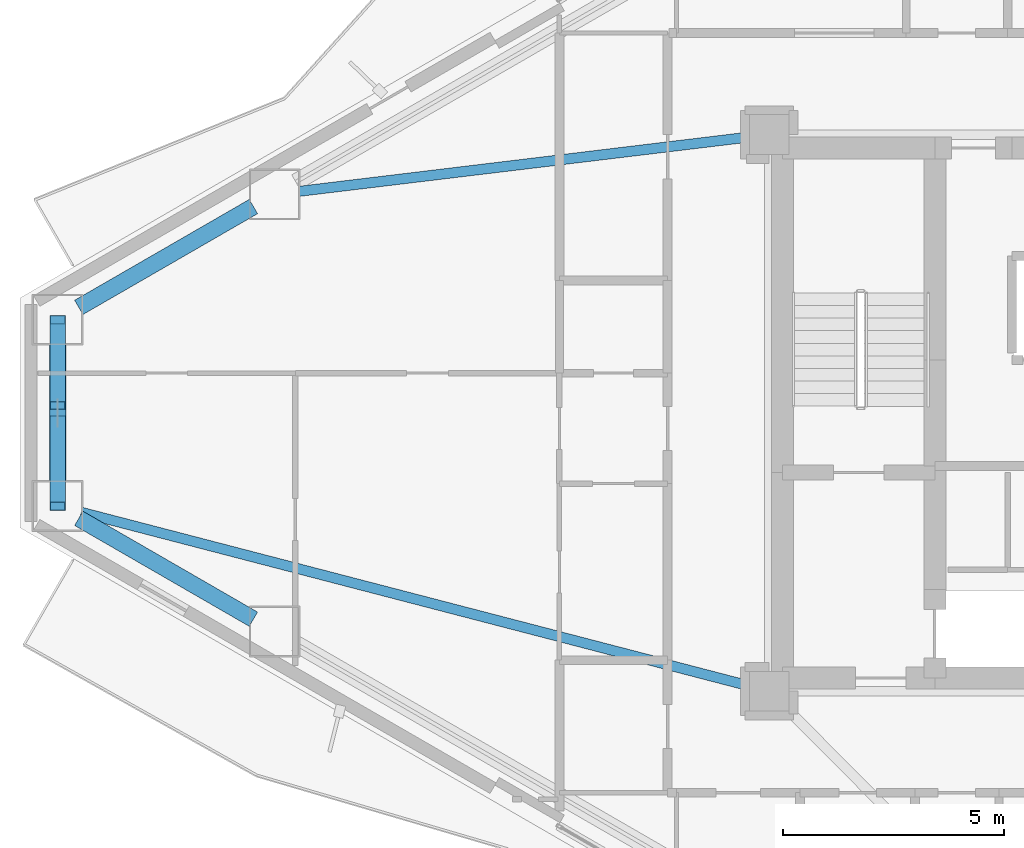
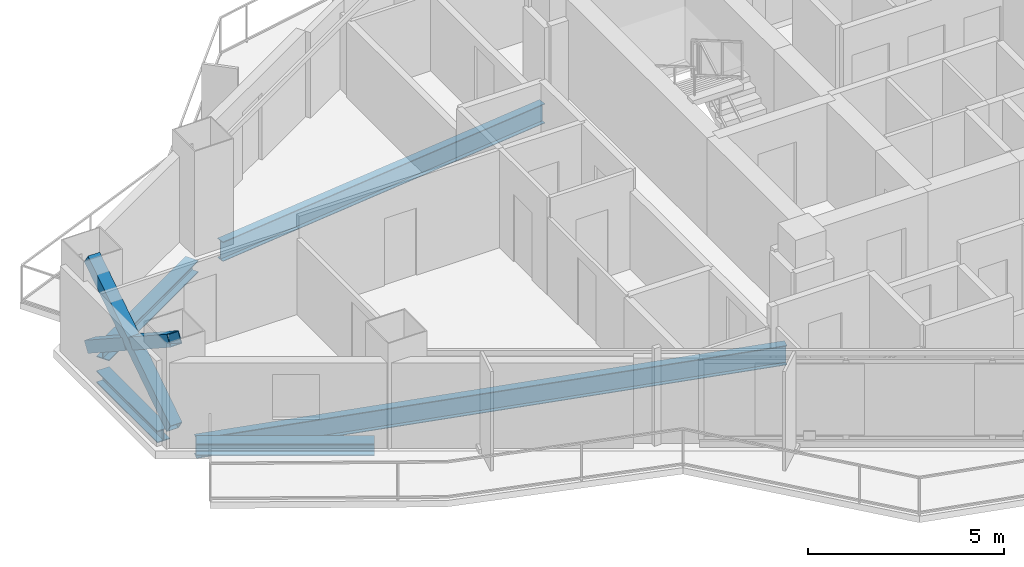
# One storey, part 5 of 22: 5 beams, 3 members.
"""IFC4 building model written with IfcOpenShell, lengths in metres."""

from ifc_helpers import new_model, si_unit, direction, frame, origin, origin_2d, place, context, subcontext, project, spatial, hollow_rectangle, i_section, extrude, material, material_profile, profile_set, type_object, element, save


model = new_model("IFC4")

# Units and contexts
model_context = context("Model", 3, precision=1e-05, world=origin(), true_north=direction((0.0, 1.0)))
body_context = subcontext(model_context, "Body", "Model", "MODEL_VIEW")
ifc_project = project(units=[si_unit("LENGTHUNIT", "METRE"), si_unit("AREAUNIT", "SQUARE_METRE"), si_unit("VOLUMEUNIT", "CUBIC_METRE"), si_unit("PLANEANGLEUNIT", "RADIAN"), si_unit("MASSUNIT", "GRAM", prefix="KILO")], contexts=[model_context])

# Site, building, storey
site_placement = place(None, origin())
site = spatial("IfcSite", under=ifc_project, at=site_placement, CompositionType="ELEMENT")
building_placement = place(site_placement, origin())
building = spatial("IfcBuilding", under=site, at=building_placement, Name="Mersakhor Tower and Convention Hall", CompositionType="ELEMENT")
storey_placement = place(building_placement, frame((0.0, 0.0, 76.800048828125)))
storey = spatial("IfcBuildingStorey", under=building, at=storey_placement, Name="L20", CompositionType="ELEMENT", Elevation=76.800048828125)

# Beams
ifc_material_1 = material(Name="Steel S355", Category="steel")
ifc_material_profile_1 = material_profile(ifc_material_1, i_section(OverallWidth=0.22900390625, OverallDepth=0.6123046875, WebThickness=0.011962890625, FlangeThickness=0.01953125, at=origin_2d()), Name="UB 610x229x125")
ifc_profile_set_1 = profile_set([ifc_material_profile_1], Name="Steel S355")
beam_type_1 = type_object("IfcBeamType", Name="BM-PR-610", PredefinedType="BEAM", material=ifc_profile_set_1)
beam_1_placement = place(storey_placement, frame((21.47314453125, 32.99853515625, -0.55615234375), z_axis=(-0.992798628585, -0.119795171356, 0.0), x_axis=(0.119795171356, -0.992798628585, 0.0)))
element("IfcBeam", 1, at=beam_1_placement, inside=storey, type_object=beam_type_1, Name="L20 Primary Floor Girder FG-1", PredefinedType="BEAM", context=body_context, shape_type="SweptSolid", body=[
    extrude(i_section(OverallWidth=0.22900390625, OverallDepth=0.6123046875, WebThickness=0.011962890625, FlangeThickness=0.01953125, at=origin_2d()), origin(), (0.0, 0.0, 1.0), 10.2939453125),
])
beam_2_placement = place(storey_placement, frame((21.48388671875, 20.55810546875, -0.55615234375), z_axis=(-0.967826150614, 0.251619836632, 0.0), x_axis=(-0.251619836632, -0.967826150614, 0.0)))
element("IfcBeam", 2, at=beam_2_placement, inside=storey, type_object=beam_type_1, Name="L20 Primary Floor Girder FG-6", PredefinedType="BEAM", context=body_context, shape_type="SweptSolid", body=[
    extrude(i_section(OverallWidth=0.22900390625, OverallDepth=0.6123046875, WebThickness=0.011962890625, FlangeThickness=0.01953125, at=origin_2d()), origin(), (0.0, 0.0, 1.0), 15.6640625),
])
ifc_material_2 = material(Name="Steel S355", Category="steel")
ifc_material_profile_2 = material_profile(ifc_material_2, i_section(OverallWidth=0.374755859375, OverallDepth=0.37451171875, WebThickness=0.0166015625, FlangeThickness=0.027099609375, at=origin_2d()), Name="UC 356x368x202")
ifc_profile_set_2 = profile_set([ifc_material_profile_2], Name="Steel S355")
beam_type_2 = type_object("IfcBeamType", Name="BM-SPD-UC356", PredefinedType="SPANDREL", material=ifc_profile_set_2)
for number, where, z_axis, x_axis, name in (
    (3, (6.267333984375, 29.13818359375, -0.437255859375), (0.866023543838, 0.500003221507, 0.0), (-0.500003221507, 0.866023543838, 0.0), "L20 Perimeter Spandrel Beam SPB-01"),
    (4, (10.221923828125, 22.07861328125, -0.437255859375), (-0.866023543838, 0.500003221507, 0.0), (-0.500003221507, -0.866023543838, 0.0), "L20 Perimeter Spandrel Beam SPB-11"),
):
    element("IfcBeam", number, at=place(storey_placement, frame(where, z_axis=z_axis, x_axis=x_axis)), inside=storey, type_object=beam_type_2, Name=name, PredefinedType="SPANDREL", context=body_context, shape_type="SweptSolid", body=[
        extrude(i_section(OverallWidth=0.374755859375, OverallDepth=0.37451171875, WebThickness=0.0166015625, FlangeThickness=0.027099609375, at=origin_2d()), origin(), (0.0, 0.0, 1.0), 4.56640625),
    ])
beam_3_placement = place(storey_placement, frame((5.78662109375, 25.194091796875, -0.437255859375), z_axis=(0.0, 1.0, 0.0), x_axis=(-1.0, 0.0, 0.0)))
element("IfcBeam", 5, at=beam_3_placement, inside=storey, type_object=beam_type_2, Name="L20 Perimeter Spandrel Beam SPB-12", PredefinedType="SPANDREL", context=body_context, shape_type="SweptSolid", body=[
    extrude(i_section(OverallWidth=0.374755859375, OverallDepth=0.37451171875, WebThickness=0.0166015625, FlangeThickness=0.027099609375, at=origin_2d()), origin(), (0.0, 0.0, 1.0), 3.11181640625),
])

# Members
ifc_material_3 = material(Name="Steel S460", Category="steel")
ifc_material_profile_3 = material_profile(ifc_material_3, hollow_rectangle(XDim=0.35009765625, YDim=0.35009765625, WallThickness=0.02001953125, at=origin_2d()), Name="SHS 350x350x20")
ifc_profile_set_3 = profile_set([ifc_material_profile_3], Name="Steel S460")
member_type = type_object("IfcMemberType", Name="MB-BRC-SHS350", PredefinedType="BRACE", material=ifc_profile_set_3)
member_1_placement = place(storey_placement, frame((5.78662109375, 24.63916015625, 0.14990234375), z_axis=(0.0, 0.837907380789, 0.54581244143), x_axis=(-1.0, 0.0, 0.0)))
element("IfcMember", 6, at=member_1_placement, inside=storey, type_object=member_type, Name="L20 Chamfer Braced Frame Diagonal CB-3A", PredefinedType="BRACE", context=body_context, shape_type="SweptSolid", body=[
    extrude(hollow_rectangle(XDim=0.35009765625, YDim=0.35009765625, WallThickness=0.02001953125, at=origin_2d()), origin(), (0.0, 0.0, 1.0), 5.038330078125),
])
member_2_placement = place(storey_placement, frame((5.78662109375, 28.86083984375, 0.14990234375), z_axis=(0.0, -0.83788056026, 0.54585361292), x_axis=(1.0, 0.0, 0.0)))
element("IfcMember", 7, at=member_2_placement, inside=storey, type_object=member_type, Name="L20 Chamfer Braced Frame Diagonal CB-3B Lower Half", PredefinedType="BRACE", context=body_context, shape_type="SweptSolid", body=[
    extrude(hollow_rectangle(XDim=0.35009765625, YDim=0.35009765625, WallThickness=0.02001953125, at=origin_2d()), origin(), (0.0, 0.0, 1.0), 2.320068359375),
])
member_3_placement = place(storey_placement, frame((5.78662109375, 26.5830078125, 1.6337890625), z_axis=(0.0, -0.837928690032, 0.545779727016), x_axis=(1.0, 0.0, 0.0)))
element("IfcMember", 8, at=member_3_placement, inside=storey, type_object=member_type, Name="L20 Chamfer Braced Frame Diagonal CB-3B Upper Half", PredefinedType="BRACE", context=body_context, shape_type="SweptSolid", body=[
    extrude(hollow_rectangle(XDim=0.35009765625, YDim=0.35009765625, WallThickness=0.02001953125, at=origin_2d()), origin(), (0.0, 0.0, 1.0), 2.31982421875),
])

save(model, "model.ifc")
